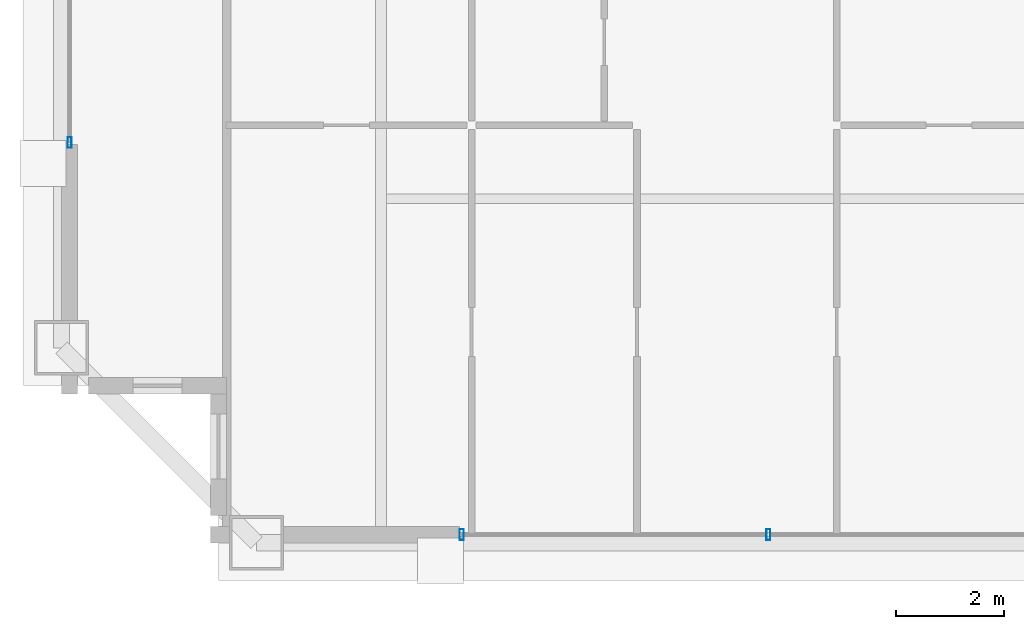
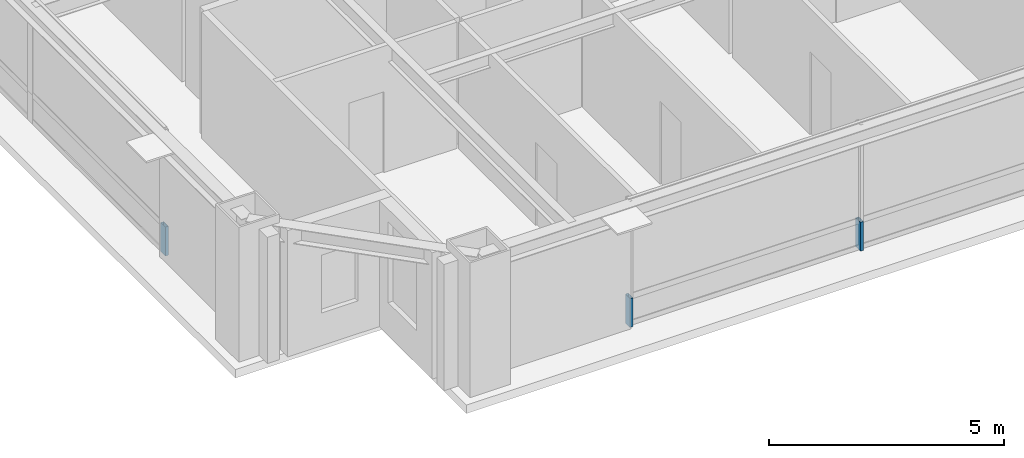
# One storey, part 21 of 35: 3 members, 2 elements without a shape of their own.
"""IFC4 building model written with IfcOpenShell, lengths in metres."""

from ifc_helpers import new_model, si_unit, direction, frame, origin, origin_2d, place, context, subcontext, project, spatial, hollow_rectangle, extrude, source, transform, mapped, material, layer, layer_set, material_profile, profile_set, type_object, element, aggregate, save


model = new_model("IFC4")

# Units and contexts
model_context = context("Model", 3, precision=1e-05, world=origin(), true_north=direction((0.0, 1.0)))
body_context = subcontext(model_context, "Body", "Model", "MODEL_VIEW")
ifc_project = project(units=[si_unit("LENGTHUNIT", "METRE"), si_unit("AREAUNIT", "SQUARE_METRE"), si_unit("VOLUMEUNIT", "CUBIC_METRE"), si_unit("PLANEANGLEUNIT", "RADIAN"), si_unit("MASSUNIT", "GRAM", prefix="KILO"), si_unit("THERMODYNAMICTEMPERATUREUNIT", "KELVIN"), si_unit("POWERUNIT", "WATT")], contexts=[model_context])

# Site, building, storey
site_placement = place(None, origin())
site = spatial("IfcSite", under=ifc_project, at=site_placement, CompositionType="ELEMENT")
building_placement = place(site_placement, origin())
building = spatial("IfcBuilding", under=site, at=building_placement, Name="Yuzanri Waterfront Tower", CompositionType="ELEMENT")
storey_placement = place(building_placement, frame((0.0, 0.0, 296.10009765625)))
storey = spatial("IfcBuildingStorey", under=building, at=storey_placement, Name="L79", CompositionType="ELEMENT", Elevation=296.10009765625)

# Curtain wall, members
ifc_material_1 = material(Name="Anodized Architectural Bronze", Category="metal")
ifc_layer = layer(ifc_material_1, 0.159912109375)
ifc_layer_set = layer_set([ifc_layer], Name="Anodized Architectural Bronze")
curtain_wall_type = type_object("IfcCurtainWallType", Name="Anodized Bronze High-Rise Penthouse High-Wind Unitized Curtain Wall 6900", PredefinedType="NOTDEFINED", material=ifc_layer_set)
curtain_wall_1_placement = place(storey_placement, origin())
curtain_wall_1 = element("IfcCurtainWall", 1, at=curtain_wall_1_placement, inside=storey, type_object=curtain_wall_type, Name="L79 Curtain Wall CW-L79-SL", PredefinedType="NOTDEFINED")
ifc_material_2 = material(Name="Anodized Architectural Bronze", Category="metal")
ifc_material_profile = material_profile(ifc_material_2, hollow_rectangle(XDim=0.074951171875, YDim=0.199951171875, WallThickness=0.00390625, at=origin_2d()), Name="CWM 75x200")
ifc_profile_set = profile_set([ifc_material_profile], Name="Anodized Architectural Bronze")
member_type = type_object("IfcMemberType", Name="Anodized Bronze Primary Curtain-Wall Mullion 75x200", PredefinedType="MULLION", material=ifc_profile_set)
shared_shape = source(origin(), body_context, "Body", "SweptSolid", [
    extrude(hollow_rectangle(XDim=0.074951171875, YDim=0.199951171875, WallThickness=0.00390625, at=origin_2d()), origin(), (0.0, 0.0, 1.0), 0.751953125),
])
member_1_placement = place(storey_placement, frame((25.2900390625, 6.85009765625, 0.0), z_axis=(0.0, 0.0, 1.0), x_axis=(1.0, 0.0, 0.0)))
member_1 = element("IfcMember", 2, at=member_1_placement, type_object=member_type, Name="CW-L79-SL Lower Mullion 00", PredefinedType="MULLION", context=body_context, shape_type="MappedRepresentation", body=[
    mapped(shared_shape, transform((0.0, 0.0, 0.0), scale=1.0)),
])
member_2_placement = place(storey_placement, frame((30.949951171875, 6.85009765625, 0.0), z_axis=(0.0, 0.0, 1.0), x_axis=(1.0, 0.0, 0.0)))
member_2 = element("IfcMember", 3, at=member_2_placement, type_object=member_type, Name="CW-L79-SL Lower Mullion 01", PredefinedType="MULLION", context=body_context, shape_type="MappedRepresentation", body=[
    mapped(shared_shape, transform((0.0, 0.0, 0.0), scale=1.0)),
])
aggregate(curtain_wall_1, [member_1, member_2])

# Curtain wall, member
curtain_wall_2_placement = place(storey_placement, origin())
curtain_wall_2 = element("IfcCurtainWall", 4, at=curtain_wall_2_placement, inside=storey, type_object=curtain_wall_type, Name="L79 Curtain Wall CW-L79-WL", PredefinedType="NOTDEFINED")
member_3_placement = place(storey_placement, frame((18.050048828125, 14.090087890625, 0.0), z_axis=(0.0, 0.0, 1.0), x_axis=(1.0, 0.0, 0.0)))
member_3 = element("IfcMember", 5, at=member_3_placement, type_object=member_type, Name="CW-L79-WL Lower Mullion 00", PredefinedType="MULLION", context=body_context, shape_type="MappedRepresentation", body=[
    mapped(shared_shape, transform((0.0, 0.0, 0.0), scale=1.0)),
])
aggregate(curtain_wall_2, [member_3])

save(model, "model.ifc")
